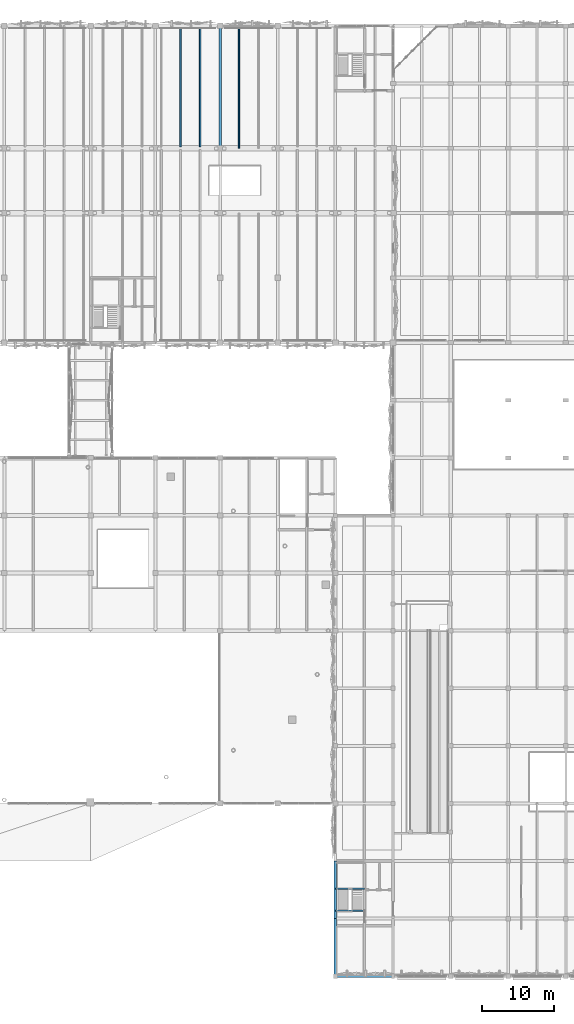
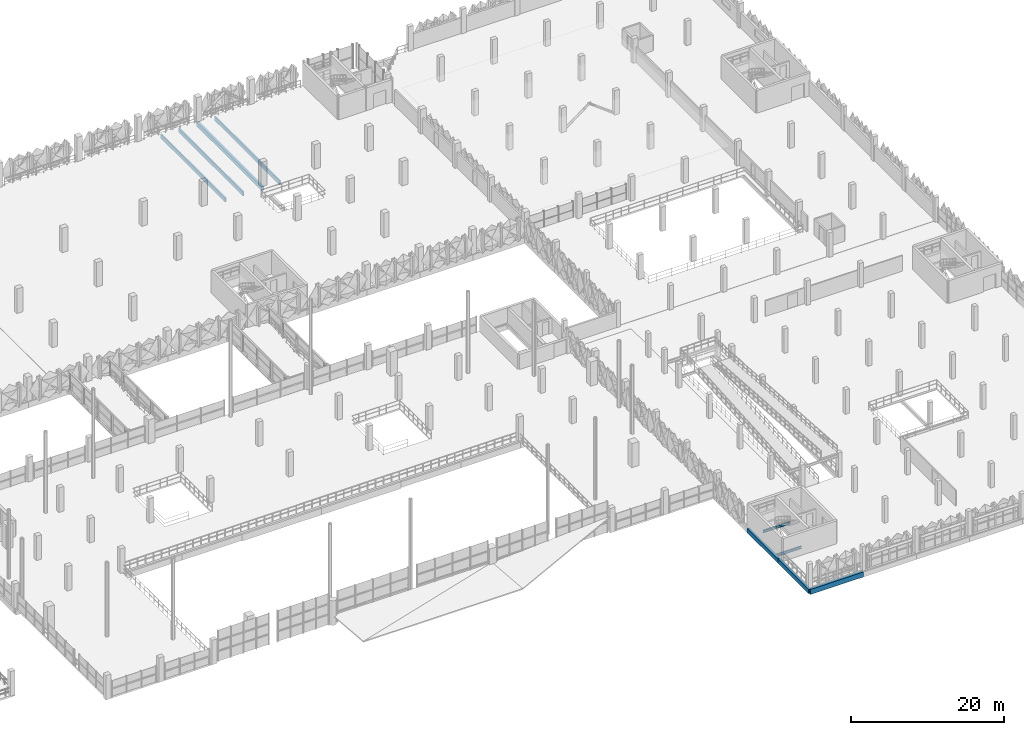
# One storey, part 40 of 123: 9 beams.
"""IFC4 building model written with IfcOpenShell, lengths in metres."""

from ifc_helpers import new_model, si_unit, derived_unit, direction, frame, origin, origin_2d, place, context, subcontext, project, spatial, rectangle, i_section, extrude, material, material_profile, profile_set, type_object, element, save


model = new_model("IFC4")

# Units and contexts
model_context = context("Model", 3, precision=1e-05, world=origin(), true_north=direction((0.0, 1.0)))
body_context = subcontext(model_context, "Body", "Model", "MODEL_VIEW")
ifc_project = project(units=[si_unit("LENGTHUNIT", "METRE"), si_unit("AREAUNIT", "SQUARE_METRE"), si_unit("VOLUMEUNIT", "CUBIC_METRE"), si_unit("PLANEANGLEUNIT", "RADIAN"), si_unit("MASSUNIT", "GRAM", prefix="KILO"), si_unit("THERMODYNAMICTEMPERATUREUNIT", "KELVIN"), derived_unit("THERMALTRANSMITTANCEUNIT", [(si_unit("POWERUNIT", "WATT"), 1), (si_unit("AREAUNIT", "SQUARE_METRE"), -1), (si_unit("THERMODYNAMICTEMPERATUREUNIT", "KELVIN"), -1)])], contexts=[model_context])

# Site, building, storey
site_placement = place(None, origin())
site = spatial("IfcSite", under=ifc_project, at=site_placement, CompositionType="ELEMENT")
building_placement = place(site_placement, origin())
building = spatial("IfcBuilding", under=site, at=building_placement, Name="Haiyu Intermodal Mobility Hub", CompositionType="ELEMENT")
storey_placement = place(building_placement, frame((0.0, 0.0, 5.60009765625)))
storey = spatial("IfcBuildingStorey", under=building, at=storey_placement, Name="L01", CompositionType="ELEMENT", Elevation=5.60009765625)

# Beams
ifc_material_1 = material(Name="Concrete C40", Category="concrete")
ifc_material_profile_1 = material_profile(ifc_material_1, rectangle(XDim=0.35009765625, YDim=0.64990234375, at=origin_2d()), Name="RCB350x650")
ifc_profile_set_1 = profile_set([ifc_material_profile_1], Name="Concrete C40")
beam_type_1 = type_object("IfcBeamType", Name="BM-CB04", PredefinedType="BEAM", material=ifc_profile_set_1)
beam_1_placement = place(storey_placement, frame((138.0, 131.0, -0.60009765625), z_axis=(0.0, 1.0, 0.0), x_axis=(-1.0, 0.0, 0.0)))
element("IfcBeam", 1, at=beam_1_placement, inside=storey, type_object=beam_type_1, Name="BM-V4E-L01-042", PredefinedType="BEAM", context=body_context, shape_type="SweptSolid", body=[
    extrude(rectangle(XDim=0.35009765625, YDim=0.64990234375, at=origin_2d()), origin(), (0.0, 0.0, 1.0), 17.0),
])
ifc_material_profile_2 = material_profile(ifc_material_1, rectangle(XDim=0.39990234375, YDim=0.800048828125, at=origin_2d()), Name="RCB400x800")
ifc_profile_set_2 = profile_set([ifc_material_profile_2], Name="Concrete C40")
beam_type_2 = type_object("IfcBeamType", Name="BM-CB05", PredefinedType="BEAM", material=ifc_profile_set_2)
beam_2_placement = place(storey_placement, frame((154.0, 16.0, -0.66015625), z_axis=(1.0, 0.0, 0.0), x_axis=(0.0, 1.0, 0.0)))
element("IfcBeam", 2, at=beam_2_placement, inside=storey, type_object=beam_type_2, Name="BM-V5G-L01-001", PredefinedType="BEAM", context=body_context, shape_type="SweptSolid", body=[
    extrude(rectangle(XDim=0.39990234375, YDim=0.800048828125, at=origin_2d()), origin(), (0.0, 0.0, 1.0), 8.0),
])
ifc_material_profile_3 = material_profile(ifc_material_1, rectangle(XDim=0.35009765625, YDim=0.699951171875, at=origin_2d()), Name="RCB350x700")
ifc_profile_set_3 = profile_set([ifc_material_profile_3], Name="Concrete C40")
beam_type_3 = type_object("IfcBeamType", Name="BM-CB06", PredefinedType="BEAM", material=ifc_profile_set_3)
for number, where, z_axis, x_axis, name in (
    (3, (154.0, 16.0, -0.610107421875), (0.0, 1.0, 0.0), (-1.0, 0.0, 0.0), "BM-V5T-L01-001"),
    (4, (154.0, 24.0, -0.610107421875), (0.0, 1.0, 0.0), (-1.0, 0.0, 0.0), "BM-V5T-L01-002"),
):
    element("IfcBeam", number, at=place(storey_placement, frame(where, z_axis=z_axis, x_axis=x_axis)), inside=storey, type_object=beam_type_3, Name=name, PredefinedType="BEAM", context=body_context, shape_type="SweptSolid", body=[
        extrude(rectangle(XDim=0.35009765625, YDim=0.699951171875, at=origin_2d()), origin(), (0.0, 0.0, 1.0), 8.0),
    ])
ifc_material_2 = material(Name="Precast concrete C50", Category="concrete")
ifc_material_profile_4 = material_profile(ifc_material_2, rectangle(XDim=0.199951171875, YDim=0.659912109375, at=origin_2d()), Name="PC200x660")
ifc_profile_set_4 = profile_set([ifc_material_profile_4], Name="Precast concrete C50")
beam_type_4 = type_object("IfcBeamType", Name="BM-DT03", PredefinedType="JOIST", material=ifc_profile_set_4)
for number, where, z_axis, x_axis, name in (
    (5, (132.5, 131.195068359375, -0.60498046875), (0.0, 1.0, 0.0), (-1.0, 0.0, 0.0), "BM-DT-L01-094"),
    (6, (135.199951171875, 131.195068359375, -0.60498046875), (0.0, 1.0, 0.0), (-1.0, 0.0, 0.0), "BM-DT-L01-097"),
):
    element("IfcBeam", number, at=place(storey_placement, frame(where, z_axis=z_axis, x_axis=x_axis)), inside=storey, type_object=beam_type_4, Name=name, PredefinedType="JOIST", context=body_context, shape_type="SweptSolid", body=[
        extrude(rectangle(XDim=0.199951171875, YDim=0.659912109375, at=origin_2d()), origin(), (0.0, 0.0, 1.0), 16.804931640625),
    ])
beam_3_placement = place(storey_placement, frame((140.60009765625, 131.0, -0.60498046875), z_axis=(0.0, 1.0, 0.0), x_axis=(-1.0, 0.0, 0.0)))
element("IfcBeam", 7, at=beam_3_placement, inside=storey, type_object=beam_type_4, Name="BM-DT-L01-099", PredefinedType="JOIST", context=body_context, shape_type="SweptSolid", body=[
    extrude(rectangle(XDim=0.199951171875, YDim=0.659912109375, at=origin_2d()), origin(), (0.0, 0.0, 1.0), 17.0),
])
ifc_material_3 = material(Name="Steel Q355C", Category="steel")
ifc_material_profile_5 = material_profile(ifc_material_3, i_section(OverallWidth=0.199951171875, OverallDepth=0.39990234375, WebThickness=0.008056640625, FlangeThickness=0.012939453125, FilletRadius=0.01611328125, at=origin_2d()), Name="HN400x200x8x13")
ifc_profile_set_5 = profile_set([ifc_material_profile_5], Name="Steel Q355C")
beam_type_5 = type_object("IfcBeamType", Name="BM-SB08", PredefinedType="JOIST", material=ifc_profile_set_5)
for number, where, z_axis, x_axis, name in (
    (8, (154.0, 25.10009765625, -0.525146484375), (1.0, 0.0, 0.0), (0.0, 1.0, 0.0), "Stair Arrival Trimmer Beam C8-L00"),
    (9, (154.0, 28.1298828125, 1.52490234375), (1.0, 0.0, 0.0), (0.0, 1.0, 0.0), "Stair Half-Landing Front Beam C8-L01"),
):
    element("IfcBeam", number, at=place(storey_placement, frame(where, z_axis=z_axis, x_axis=x_axis)), inside=storey, type_object=beam_type_5, Name=name, PredefinedType="JOIST", context=body_context, shape_type="SweptSolid", body=[
        extrude(i_section(OverallWidth=0.199951171875, OverallDepth=0.39990234375, WebThickness=0.008056640625, FlangeThickness=0.012939453125, FilletRadius=0.01611328125, at=origin_2d()), origin(), (0.0, 0.0, 1.0), 4.050048828125),
    ])

save(model, "model.ifc")
